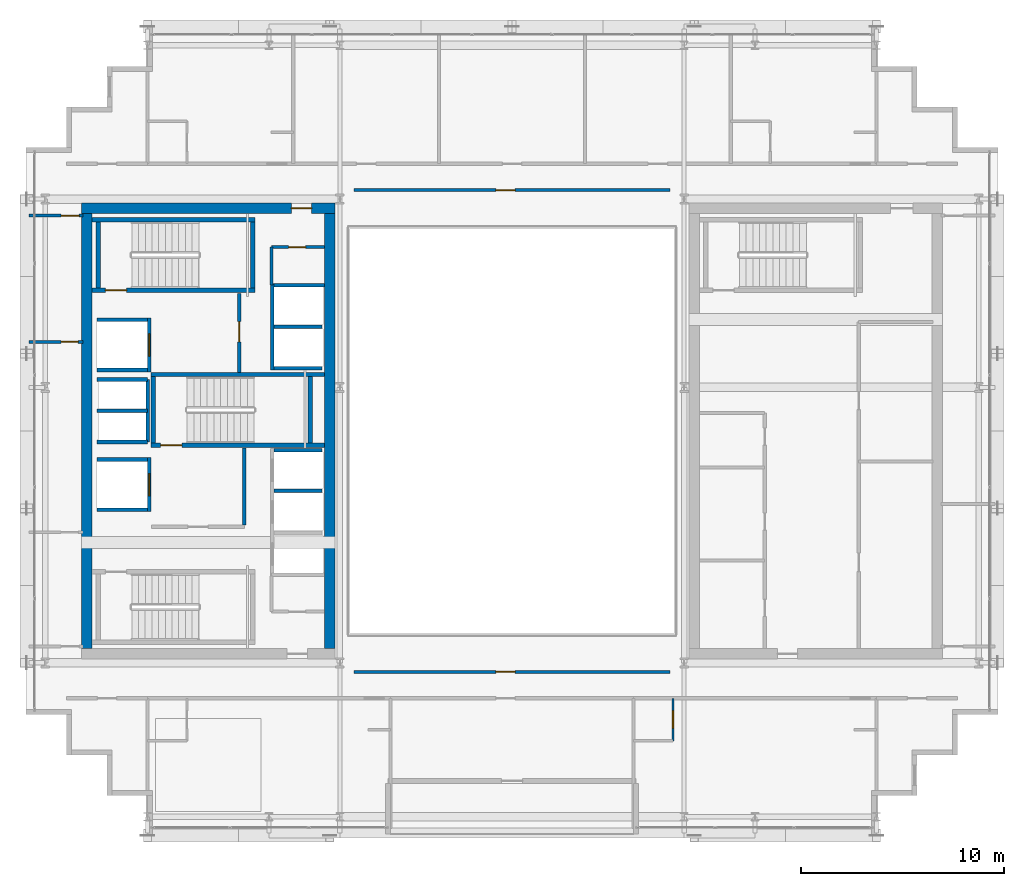
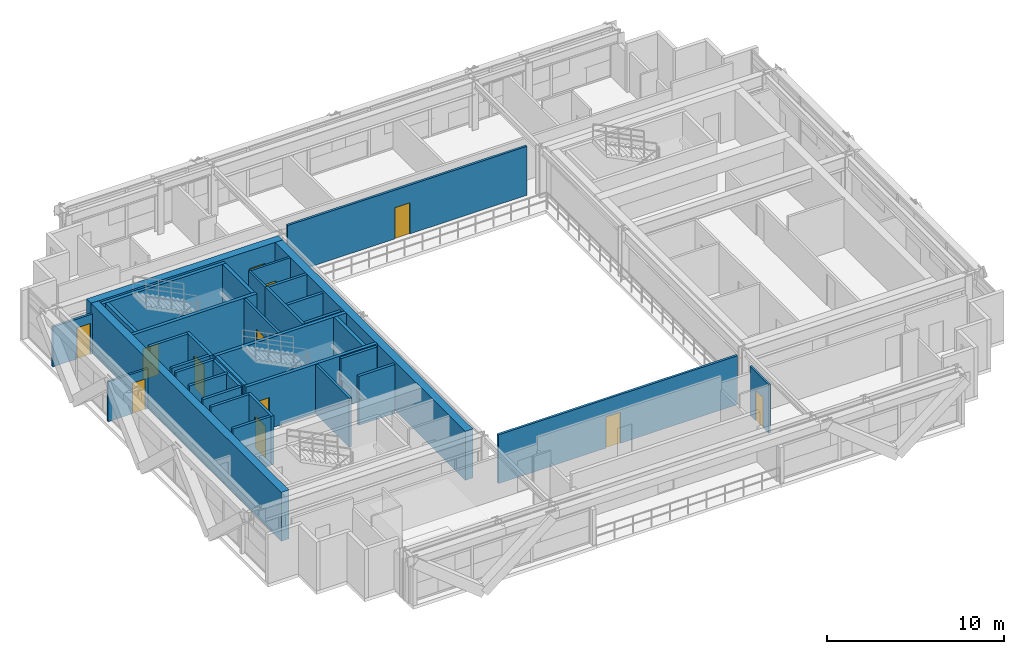
# One storey, part 25 of 31: 36 walls, 12 doors, 12 openings.
"""IFC4 building model written with IfcOpenShell, lengths in metres."""

from ifc_helpers import new_model, si_unit, direction, frame, frame_2d, origin, place, context, subcontext, project, spatial, rectangle, extrude, source, transform, mapped, material, layer, layer_set, type_object, element, fill, save


model = new_model("IFC4")

# Units and contexts
model_context = context("Model", 3, precision=1e-05, world=origin(), true_north=direction((0.0, 1.0)))
body_context = subcontext(model_context, "Body", "Model", "MODEL_VIEW")
ifc_project = project(units=[si_unit("LENGTHUNIT", "METRE"), si_unit("AREAUNIT", "SQUARE_METRE"), si_unit("VOLUMEUNIT", "CUBIC_METRE"), si_unit("PLANEANGLEUNIT", "RADIAN"), si_unit("MASSUNIT", "GRAM", prefix="KILO")], contexts=[model_context])

# Site, building, storey
site_placement = place(None, origin())
site = spatial("IfcSite", under=ifc_project, at=site_placement, CompositionType="ELEMENT")
building_placement = place(site_placement, origin())
building = spatial("IfcBuilding", under=site, at=building_placement, Name="Ocotamira Hotel", CompositionType="ELEMENT")
storey_placement = place(building_placement, frame((0.0, 0.0, 199.199951171875)))
storey = spatial("IfcBuildingStorey", under=building, at=storey_placement, Name="L50", CompositionType="ELEMENT", Elevation=199.199951171875)

# Wall, opening, door
ifc_material_1 = material(Name="Concrete C50/60", Category="concrete")
ifc_layer_1 = layer(ifc_material_1, 0.5)
ifc_layer_set_1 = layer_set([ifc_layer_1], Name="Concrete C50/60")
wall_type_1 = type_object("IfcWallType", Name="WL-CORE-500", PredefinedType="SHEAR", material=ifc_layer_set_1)
wall_1_placement = place(storey_placement, frame((10.75, 37.0, 0.0), z_axis=(0.0, 0.0, 1.0), x_axis=(1.0, 0.0, 0.0)))
wall_1 = element("IfcWall", 1, at=wall_1_placement, inside=storey, type_object=wall_type_1, Name="L50 Shear Core Wall WCORE-N", PredefinedType="SHEAR", context=body_context, shape_type="SweptSolid", body=[
    extrude(rectangle(XDim=12.5, YDim=0.5, at=frame_2d((6.25, 0.0))), origin(), (0.0, 0.0, 1.0), 3.3701171875),
])
opening_1_placement = place(wall_1_placement, frame((10.35009765625, 0.0, 0.0)))
opening_1 = element("IfcOpeningElement", 2, at=opening_1_placement, cuts=wall_1, Name="Opening D-FR2", PredefinedType="OPENING", context=body_context, shape_type="SweptSolid", body=[
    extrude(rectangle(XDim=1.0, YDim=2.14990234375, at=frame_2d((0.5, 1.074951171875))), frame((0.0, 0.260009765625, 0.0), z_axis=(0.0, -1.0, 0.0), x_axis=(1.0, 0.0, 0.0)), (0.0, 0.0, 1.0), 0.52001953125),
])
ifc_material_2 = material(Name="Fire-rated acoustic timber-veneer door", Category="wood")
door_type_1 = type_object("IfcDoorType", Name="DR-FIRE-1000", OperationType="NOTDEFINED", PredefinedType="DOOR", material=ifc_material_2)
shared_shape_1 = source(origin(), body_context, "Body", "SweptSolid", [
    extrude(rectangle(XDim=1.0, YDim=2.14990234375, at=frame_2d((0.5, 1.074951171875))), frame((0.0, 0.02490234375, 0.0), z_axis=(0.0, -1.0, 0.0), x_axis=(1.0, 0.0, 0.0)), (0.0, 0.0, 1.0), 0.050048828125),
])
door_1_placement = place(opening_1_placement, origin())
door_1 = element("IfcDoor", 3, at=door_1_placement, inside=storey, type_object=door_type_1, Name="L50 Door ID-L50-WLOB-N-D [ID-L50-WLOB-N-D]", OperationType="SINGLE_SWING_RIGHT", OverallHeight=2.14990234375, OverallWidth=1.0, PredefinedType="DOOR", context=body_context, shape_type="MappedRepresentation", body=[
    mapped(shared_shape_1, transform((0.0, 0.0, 0.0), scale=1.0)),
])
fill(opening_1, door_1)

# Walls
for number, where, z_axis, x_axis, name in (
    (4, (11.0, 15.25, 0.0), (0.0, 0.0, 1.0), (0.0, 1.0, 0.0), "L50 Shear Core Wall WCORE-W"),
    (5, (23.0, 15.25, 0.0), (0.0, 0.0, 1.0), (0.0, 1.0, 0.0), "L50 Shear Core Wall WCORE-E"),
):
    element("IfcWall", number, at=place(storey_placement, frame(where, z_axis=z_axis, x_axis=x_axis)), inside=storey, type_object=wall_type_1, Name=name, PredefinedType="SHEAR", context=body_context, shape_type="SweptSolid", body=[
        extrude(rectangle(XDim=21.5, YDim=0.5, at=frame_2d((10.75, 0.0))), origin(), (0.0, 0.0, 1.0), 3.3701171875),
    ])
ifc_material_3 = material(Name="Acoustic double-layer fire gypsum board partition", Category="gypsum")
ifc_layer_2 = layer(ifc_material_3, 0.159912109375)
ifc_layer_set_2 = layer_set([ifc_layer_2], Name="Acoustic double-layer fire gypsum board partition")
wall_type_2 = type_object("IfcWallType", Name="WL-FIRE-160", PredefinedType="PARTITIONING", material=ifc_layer_set_2)
wall_2_placement = place(storey_placement, frame((18.780029296875, 21.35009765625, 0.0), z_axis=(0.0, 0.0, 1.0), x_axis=(0.0, 1.0, 0.0)))
element("IfcWall", 6, at=wall_2_placement, inside=storey, type_object=wall_type_2, Name="L50 Interior Wall PW-L50-FSAE1-E", PredefinedType="PARTITIONING", context=body_context, shape_type="SweptSolid", body=[
    extrude(rectangle(XDim=3.809814453125, YDim=0.159912109375, at=frame_2d((1.90478515625, 0.0))), origin(), (0.0, 0.0, 1.0), 3.3701171875),
])

# Wall, opening, door
wall_3_placement = place(storey_placement, frame((18.530029296875, 28.89990234375, 0.0), z_axis=(0.0, 0.0, 1.0), x_axis=(0.0, 1.0, 0.0)))
wall_3 = element("IfcWall", 7, at=wall_3_placement, inside=storey, type_object=wall_type_2, Name="L50 Interior Wall PW-L50-FSAE2-E", PredefinedType="PARTITIONING", context=body_context, shape_type="SweptSolid", body=[
    extrude(rectangle(XDim=3.900146484375, YDim=0.159912109375, at=frame_2d((1.9501953125, 0.0))), origin(), (0.0, 0.0, 1.0), 3.3701171875),
])
opening_2_placement = place(wall_3_placement, frame((1.5, 0.0, 0.0)))
opening_2 = element("IfcOpeningElement", 8, at=opening_2_placement, cuts=wall_3, Name="Opening D-FR2", PredefinedType="OPENING", context=body_context, shape_type="SweptSolid", body=[
    extrude(rectangle(XDim=1.0, YDim=2.14990234375, at=frame_2d((0.5, 1.074951171875))), frame((0.0, 0.08984375, 0.0), z_axis=(0.0, -1.0, 0.0), x_axis=(1.0, 0.0, 0.0)), (0.0, 0.0, 1.0), 0.179931640625),
])
door_2_placement = place(opening_2_placement, origin())
door_2 = element("IfcDoor", 9, at=door_2_placement, inside=storey, type_object=door_type_1, Name="L50 Door ID-L50-FSAE2-D [ID-L50-FSAE2-D]", OperationType="SINGLE_SWING_RIGHT", OverallHeight=2.14990234375, OverallWidth=1.0, PredefinedType="DOOR", context=body_context, shape_type="MappedRepresentation", body=[
    mapped(shared_shape_1, transform((0.0, 0.0, 0.0), scale=1.0)),
])
fill(opening_2, door_2)

ifc_material_4 = material(Name="Moisture-resistant en-suite tile and gypsum partition", Category="gypsum")
ifc_layer_3 = layer(ifc_material_4, 0.1201171875)
ifc_layer_set_3 = layer_set([ifc_layer_3], Name="Moisture-resistant en-suite tile and gypsum partition")
wall_type_3 = type_object("IfcWallType", Name="WL-PART-120", PredefinedType="PARTITIONING", material=ifc_layer_set_3)
wall_4_placement = place(storey_placement, frame((39.949951171875, 10.699951171875, 0.0), z_axis=(0.0, 0.0, 1.0), x_axis=(0.0, 1.0, 0.0)))
wall_4 = element("IfcWall", 10, at=wall_4_placement, inside=storey, type_object=wall_type_3, Name="L50 Interior Wall PW-L50-Z3DSE-BAE1", PredefinedType="PARTITIONING", context=body_context, shape_type="SweptSolid", body=[
    extrude(rectangle(XDim=2.10009765625, YDim=0.1201171875, at=frame_2d((1.050048828125, 0.0))), origin(), (0.0, 0.0, 1.0), 3.3701171875),
])
opening_3_placement = place(wall_4_placement, frame((0.6201171875, 0.0, 0.0)))
opening_3 = element("IfcOpeningElement", 11, at=opening_3_placement, cuts=wall_4, Name="Opening D-BA1", PredefinedType="OPENING", context=body_context, shape_type="SweptSolid", body=[
    extrude(rectangle(XDim=0.860107421875, YDim=2.10009765625, at=frame_2d((0.43017578125, 1.050048828125))), frame((0.0, 0.070068359375, 0.0), z_axis=(0.0, -1.0, 0.0), x_axis=(1.0, 0.0, 0.0)), (0.0, 0.0, 1.0), 0.14013671875),
])
ifc_material_5 = material(Name="Moisture-sealed en-suite timber door", Category="wood")
door_type_2 = type_object("IfcDoorType", Name="DR-BATH-860", OperationType="NOTDEFINED", PredefinedType="DOOR", material=ifc_material_5)
shared_shape_2 = source(origin(), body_context, "Body", "SweptSolid", [
    extrude(rectangle(XDim=0.860107421875, YDim=2.10009765625, at=frame_2d((0.43017578125, 1.050048828125))), frame((0.0, 0.02490234375, 0.0), z_axis=(0.0, -1.0, 0.0), x_axis=(1.0, 0.0, 0.0)), (0.0, 0.0, 1.0), 0.050048828125),
])
door_3_placement = place(opening_3_placement, origin())
door_3 = element("IfcDoor", 12, at=door_3_placement, inside=storey, type_object=door_type_2, Name="L50 Door ID-L50-Z3DSE-BAD1 [ID-L50-Z3DSE-BAD1]", OperationType="SINGLE_SWING_RIGHT", OverallHeight=2.10009765625, OverallWidth=0.860107421875, PredefinedType="DOOR", context=body_context, shape_type="MappedRepresentation", body=[
    mapped(shared_shape_2, transform((0.0, 0.0, 0.0), scale=1.0)),
])
fill(opening_3, door_3)

# Wall
ifc_material_6 = material(Name="Acoustic hospitality gypsum board partition", Category="gypsum")
ifc_layer_4 = layer(ifc_material_6, 0.14208984375)
ifc_layer_set_4 = layer_set([ifc_layer_4], Name="Acoustic hospitality gypsum board partition")
wall_type_4 = type_object("IfcWallType", Name="WL-PART-142", PredefinedType="PARTITIONING", material=ifc_layer_set_4)
wall_5_placement = place(storey_placement, frame((20.1201171875, 33.219970703125, 0.0), z_axis=(0.0, 0.0, 1.0), x_axis=(0.0, 1.0, 0.0)))
element("IfcWall", 13, at=wall_5_placement, inside=storey, type_object=wall_type_4, Name="L50 Interior Wall PW-L50-WC-NE-W2", PredefinedType="PARTITIONING", context=body_context, shape_type="SweptSolid", body=[
    extrude(rectangle(XDim=1.860107421875, YDim=0.14208984375, at=frame_2d((0.93017578125, 0.0))), origin(), (0.0, 0.0, 1.0), 3.3701171875),
])

# Wall, opening, door
wall_6_placement = place(storey_placement, frame((20.1201171875, 35.080078125, 0.0), z_axis=(0.0, 0.0, 1.0), x_axis=(1.0, 0.0, 0.0)))
wall_6 = element("IfcWall", 14, at=wall_6_placement, inside=storey, type_object=wall_type_4, Name="L50 Interior Wall PW-L50-WC-NE-N2", PredefinedType="PARTITIONING", context=body_context, shape_type="SweptSolid", body=[
    extrude(rectangle(XDim=2.6298828125, YDim=0.14208984375, at=frame_2d((1.31494140625, 0.0))), origin(), (0.0, 0.0, 1.0), 3.3701171875),
])
opening_4_placement = place(wall_6_placement, frame((0.85009765625, 0.0, 0.0)))
opening_4 = element("IfcOpeningElement", 15, at=opening_4_placement, cuts=wall_6, Name="Opening D-SV1", PredefinedType="OPENING", context=body_context, shape_type="SweptSolid", body=[
    extrude(rectangle(XDim=0.840087890625, YDim=2.10009765625, at=frame_2d((0.419921875, 1.050048828125))), frame((0.0, 0.0810546875, 0.0), z_axis=(0.0, -1.0, 0.0), x_axis=(1.0, 0.0, 0.0)), (0.0, 0.0, 1.0), 0.162109375),
])
ifc_material_7 = material(Name="Fire-rated painted steel service door", Category="steel")
door_type_3 = type_object("IfcDoorType", Name="DR-SERV-840", OperationType="NOTDEFINED", PredefinedType="DOOR", material=ifc_material_7)
shared_shape_3 = source(origin(), body_context, "Body", "SweptSolid", [
    extrude(rectangle(XDim=0.840087890625, YDim=2.10009765625, at=frame_2d((0.419921875, 1.050048828125))), frame((0.0, 0.02490234375, 0.0), z_axis=(0.0, -1.0, 0.0), x_axis=(1.0, 0.0, 0.0)), (0.0, 0.0, 1.0), 0.050048828125),
])
door_4_placement = place(opening_4_placement, origin())
door_4 = element("IfcDoor", 16, at=door_4_placement, inside=storey, type_object=door_type_3, Name="L50 Door ID-L50-WC-NE-D2 [ID-L50-WC-NE-D2]", OperationType="SINGLE_SWING_RIGHT", OverallHeight=2.10009765625, OverallWidth=0.840087890625, PredefinedType="DOOR", context=body_context, shape_type="MappedRepresentation", body=[
    mapped(shared_shape_3, transform((0.0, 0.0, 0.0), scale=1.0)),
])
fill(opening_4, door_4)

wall_7_placement = place(storey_placement, frame((8.159912109375, 30.39990234375, 0.0), z_axis=(0.0, 0.0, 1.0), x_axis=(1.0, 0.0, 0.0)))
wall_7 = element("IfcWall", 17, at=wall_7_placement, inside=storey, type_object=wall_type_4, Name="L50 Interior Wall PW-L50-Z3D-WF-DV2", PredefinedType="PARTITIONING", context=body_context, shape_type="SweptSolid", body=[
    extrude(rectangle(XDim=2.66015625, YDim=0.14208984375, at=frame_2d((1.330078125, 0.0))), origin(), (0.0, 0.0, 1.0), 2.7529296875),
])
opening_5_placement = place(wall_7_placement, frame((1.580078125, 0.0, 0.0)))
opening_5 = element("IfcOpeningElement", 18, at=opening_5_placement, cuts=wall_7, Name="Opening D-SV1", PredefinedType="OPENING", context=body_context, shape_type="SweptSolid", body=[
    extrude(rectangle(XDim=0.840087890625, YDim=2.10009765625, at=frame_2d((0.419921875, 1.050048828125))), frame((0.0, 0.0810546875, 0.0), z_axis=(0.0, -1.0, 0.0), x_axis=(1.0, 0.0, 0.0)), (0.0, 0.0, 1.0), 0.162109375),
])
door_5_placement = place(opening_5_placement, origin())
door_5 = element("IfcDoor", 19, at=door_5_placement, inside=storey, type_object=door_type_3, Name="L50 Door ID-L50-Z3D-WF-DV2D [ID-L50-Z3D-WF-DV2D]", OperationType="SINGLE_SWING_RIGHT", OverallHeight=2.10009765625, OverallWidth=0.840087890625, PredefinedType="DOOR", context=body_context, shape_type="MappedRepresentation", body=[
    mapped(shared_shape_3, transform((0.0, 0.0, 0.0), scale=1.0)),
])
fill(opening_5, door_5)

ifc_layer_5 = layer(ifc_material_6, 0.14990234375)
ifc_layer_set_5 = layer_set([ifc_layer_5], Name="Acoustic hospitality gypsum board partition")
wall_type_5 = type_object("IfcWallType", Name="WL-PART-150", PredefinedType="PARTITIONING", material=ifc_layer_set_5)
wall_8_placement = place(storey_placement, frame((24.199951171875, 14.10009765625, 0.0), z_axis=(0.0, 0.0, 1.0), x_axis=(1.0, 0.0, 0.0)))
wall_8 = element("IfcWall", 20, at=wall_8_placement, inside=storey, type_object=wall_type_5, Name="L50 Interior Wall PW-L50-Z3D-ATRSW", PredefinedType="PARTITIONING", context=body_context, shape_type="SweptSolid", body=[
    extrude(rectangle(XDim=15.60009765625, YDim=0.14990234375, at=frame_2d((7.800048828125, 0.0))), origin(), (0.0, 0.0, 1.0), 3.3701171875),
])
opening_6_placement = place(wall_8_placement, frame((7.0, 0.0, 0.0)))
opening_6 = element("IfcOpeningElement", 21, at=opening_6_placement, cuts=wall_8, Name="Opening D-SV4", PredefinedType="OPENING", context=body_context, shape_type="SweptSolid", body=[
    extrude(rectangle(XDim=0.9599609375, YDim=2.14990234375, at=frame_2d((0.47998046875, 1.074951171875))), frame((0.0, 0.0849609375, 0.0), z_axis=(0.0, -1.0, 0.0), x_axis=(1.0, 0.0, 0.0)), (0.0, 0.0, 1.0), 0.169921875),
])
ifc_material_8 = material(Name="Fire-rated accessible walnut salon door", Category="wood")
door_type_4 = type_object("IfcDoorType", Name="DR-SERV-960", OperationType="NOTDEFINED", PredefinedType="DOOR", material=ifc_material_8)
shared_shape_4 = source(origin(), body_context, "Body", "SweptSolid", [
    extrude(rectangle(XDim=0.9599609375, YDim=2.14990234375, at=frame_2d((0.47998046875, 1.074951171875))), frame((0.0, 0.02490234375, 0.0), z_axis=(0.0, -1.0, 0.0), x_axis=(1.0, 0.0, 0.0)), (0.0, 0.0, 1.0), 0.050048828125),
])
door_6_placement = place(opening_6_placement, origin())
door_6 = element("IfcDoor", 22, at=door_6_placement, inside=storey, type_object=door_type_4, Name="L50 Door ID-L50-Z3D-ASD [ID-L50-Z3D-ASD]", OperationType="SINGLE_SWING_LEFT", OverallHeight=2.14990234375, OverallWidth=0.9599609375, PredefinedType="DOOR", context=body_context, shape_type="MappedRepresentation", body=[
    mapped(shared_shape_4, transform((0.0, 0.0, 0.0), scale=1.0)),
])
fill(opening_6, door_6)

wall_9_placement = place(storey_placement, frame((24.199951171875, 37.89990234375, 0.0), z_axis=(0.0, 0.0, 1.0), x_axis=(1.0, 0.0, 0.0)))
wall_9 = element("IfcWall", 23, at=wall_9_placement, inside=storey, type_object=wall_type_5, Name="L50 Interior Wall PW-L50-Z3D-ATRNW", PredefinedType="PARTITIONING", context=body_context, shape_type="SweptSolid", body=[
    extrude(rectangle(XDim=15.60009765625, YDim=0.14990234375, at=frame_2d((7.800048828125, 0.0))), origin(), (0.0, 0.0, 1.0), 3.3701171875),
])
opening_7_placement = place(wall_9_placement, frame((7.0, 0.0, 0.0)))
opening_7 = element("IfcOpeningElement", 24, at=opening_7_placement, cuts=wall_9, Name="Opening D-SV4", PredefinedType="OPENING", context=body_context, shape_type="SweptSolid", body=[
    extrude(rectangle(XDim=0.9599609375, YDim=2.14990234375, at=frame_2d((0.47998046875, 1.074951171875))), frame((0.0, 0.0849609375, 0.0), z_axis=(0.0, -1.0, 0.0), x_axis=(1.0, 0.0, 0.0)), (0.0, 0.0, 1.0), 0.169921875),
])
door_7_placement = place(opening_7_placement, origin())
door_7 = element("IfcDoor", 25, at=door_7_placement, inside=storey, type_object=door_type_4, Name="L50 Door ID-L50-Z3D-AND [ID-L50-Z3D-AND]", OperationType="SINGLE_SWING_RIGHT", OverallHeight=2.14990234375, OverallWidth=0.9599609375, PredefinedType="DOOR", context=body_context, shape_type="MappedRepresentation", body=[
    mapped(shared_shape_4, transform((0.0, 0.0, 0.0), scale=1.0)),
])
fill(opening_7, door_7)

wall_10_placement = place(storey_placement, frame((8.159912109375, 36.639892578125, 0.0), z_axis=(0.0, 0.0, 1.0), x_axis=(1.0, 0.0, 0.0)))
wall_10 = element("IfcWall", 26, at=wall_10_placement, inside=storey, type_object=wall_type_5, Name="L50 Interior Wall PW-L50-Z3D-WF-WN", PredefinedType="PARTITIONING", context=body_context, shape_type="SweptSolid", body=[
    extrude(rectangle(XDim=2.66015625, YDim=0.14990234375, at=frame_2d((1.330078125, 0.0))), origin(), (0.0, 0.0, 1.0), 2.7529296875),
])
opening_8_placement = place(wall_10_placement, frame((1.580078125, 0.0, 0.0)))
opening_8 = element("IfcOpeningElement", 27, at=opening_8_placement, cuts=wall_10, Name="Opening D-SV2", PredefinedType="OPENING", context=body_context, shape_type="SweptSolid", body=[
    extrude(rectangle(XDim=0.8798828125, YDim=2.14990234375, at=frame_2d((0.43994140625, 1.074951171875))), frame((0.0, 0.0849609375, 0.0), z_axis=(0.0, -1.0, 0.0), x_axis=(1.0, 0.0, 0.0)), (0.0, 0.0, 1.0), 0.169921875),
])
door_type_5 = type_object("IfcDoorType", Name="DR-SERV-880", OperationType="NOTDEFINED", PredefinedType="DOOR", material=ifc_material_7)
shared_shape_5 = source(origin(), body_context, "Body", "SweptSolid", [
    extrude(rectangle(XDim=0.8798828125, YDim=2.14990234375, at=frame_2d((0.43994140625, 1.074951171875))), frame((0.0, 0.02490234375, 0.0), z_axis=(0.0, -1.0, 0.0), x_axis=(1.0, 0.0, 0.0)), (0.0, 0.0, 1.0), 0.050048828125),
])
door_8_placement = place(opening_8_placement, origin())
door_8 = element("IfcDoor", 28, at=door_8_placement, inside=storey, type_object=door_type_5, Name="L50 Door ID-L50-Z3D-WF-DN [ID-L50-Z3D-WF-DN]", OperationType="SINGLE_SWING_RIGHT", OverallHeight=2.14990234375, OverallWidth=0.8798828125, PredefinedType="DOOR", context=body_context, shape_type="MappedRepresentation", body=[
    mapped(shared_shape_5, transform((0.0, 0.0, 0.0), scale=1.0)),
])
fill(opening_8, door_8)

# Walls
ifc_material_9 = material(Name="Fire-rated gypsum shaftliner board assembly", Category="gypsum")
ifc_layer_6 = layer(ifc_material_9, 0.179931640625)
ifc_layer_set_6 = layer_set([ifc_layer_6], Name="Fire-rated gypsum shaftliner board assembly")
wall_type_6 = type_object("IfcWallType", Name="WL-SHAFT-180", PredefinedType="SOLIDWALL", material=ifc_layer_set_6)
for number, where, z_axis, x_axis, name in (
    (29, (20.25, 25.050048828125, 0.0), (0.0, 0.0, 1.0), (1.0, 0.0, 0.0), "L50 Interior Wall PW-L50-LFW-BANK-high-N"),
    (30, (20.25, 23.044921875, 0.0), (0.0, 0.0, 1.0), (1.0, 0.0, 0.0), "L50 Interior Wall PW-L50-LFW-DIV-LF-P8"),
):
    element("IfcWall", number, at=place(storey_placement, frame(where, z_axis=z_axis, x_axis=x_axis)), inside=storey, type_object=wall_type_6, Name=name, PredefinedType="SOLIDWALL", context=body_context, shape_type="SweptSolid", body=[
        extrude(rectangle(XDim=2.360107421875, YDim=0.179931640625, at=frame_2d((1.18017578125, 0.0))), origin(), (0.0, 0.0, 1.0), 3.3701171875),
    ])
wall_11_placement = place(storey_placement, frame((20.159912109375, 29.0, 0.0), z_axis=(0.0, 0.0, 1.0), x_axis=(0.0, 1.0, 0.0)))
element("IfcWall", 31, at=wall_11_placement, inside=storey, type_object=wall_type_6, Name="L50 Interior Wall PW-L50-LFW-BANK-obs-F", PredefinedType="SOLIDWALL", context=body_context, shape_type="SweptSolid", body=[
    extrude(rectangle(XDim=4.2900390625, YDim=0.179931640625, at=frame_2d((2.14501953125, 0.0))), origin(), (0.0, 0.0, 1.0), 3.3701171875),
])
wall_12_placement = place(storey_placement, frame((20.25, 29.090087890625, 0.0), z_axis=(0.0, 0.0, 1.0), x_axis=(1.0, 0.0, 0.0)))
element("IfcWall", 32, at=wall_12_placement, inside=storey, type_object=wall_type_6, Name="L50 Interior Wall PW-L50-LFW-BANK-obs-S", PredefinedType="SOLIDWALL", context=body_context, shape_type="SweptSolid", body=[
    extrude(rectangle(XDim=2.360107421875, YDim=0.179931640625, at=frame_2d((1.18017578125, 0.0))), origin(), (0.0, 0.0, 1.0), 3.3701171875),
])
wall_13_placement = place(storey_placement, frame((20.25, 33.199951171875, 0.0), z_axis=(0.0, 0.0, 1.0), x_axis=(1.0, 0.0, 0.0)))
element("IfcWall", 33, at=wall_13_placement, inside=storey, type_object=wall_type_6, Name="L50 Interior Wall PW-L50-LFW-BANK-obs-N", PredefinedType="SOLIDWALL", context=body_context, shape_type="SweptSolid", body=[
    extrude(rectangle(XDim=2.5, YDim=0.179931640625, at=frame_2d((1.25, 0.0))), origin(), (0.0, 0.0, 1.0), 3.3701171875),
])
wall_14_placement = place(storey_placement, frame((20.25, 31.14501953125, 0.0), z_axis=(0.0, 0.0, 1.0), x_axis=(1.0, 0.0, 0.0)))
element("IfcWall", 34, at=wall_14_placement, inside=storey, type_object=wall_type_6, Name="L50 Interior Wall PW-L50-LFW-DIV-LF-OBS1", PredefinedType="SOLIDWALL", context=body_context, shape_type="SweptSolid", body=[
    extrude(rectangle(XDim=2.360107421875, YDim=0.179931640625, at=frame_2d((1.18017578125, 0.0))), origin(), (0.0, 0.0, 1.0), 3.3701171875),
])
for number, where, z_axis, x_axis, name in (
    (35, (11.5, 22.110107421875, 0.0), (0.0, 0.0, 1.0), (1.0, 0.0, 0.0), "L50 Interior Wall PW-L50-LFW-LF-FSAE1-S"),
    (36, (11.5, 24.590087890625, 0.0), (0.0, 0.0, 1.0), (1.0, 0.0, 0.0), "L50 Interior Wall PW-L50-LFW-LF-FSAE1-N"),
):
    element("IfcWall", number, at=place(storey_placement, frame(where, z_axis=z_axis, x_axis=x_axis)), inside=storey, type_object=wall_type_6, Name=name, PredefinedType="SOLIDWALL", context=body_context, shape_type="SweptSolid", body=[
        extrude(rectangle(XDim=2.5, YDim=0.179931640625, at=frame_2d((1.25, 0.0))), origin(), (0.0, 0.0, 1.0), 3.3701171875),
    ])

# Wall, opening, door
wall_15_placement = place(storey_placement, frame((14.090087890625, 22.02001953125, 0.0), z_axis=(0.0, 0.0, 1.0), x_axis=(0.0, 1.0, 0.0)))
wall_15 = element("IfcWall", 37, at=wall_15_placement, inside=storey, type_object=wall_type_6, Name="L50 Interior Wall PW-L50-LFW-LF-FSAE1-E", PredefinedType="SOLIDWALL", context=body_context, shape_type="SweptSolid", body=[
    extrude(rectangle(XDim=2.659912109375, YDim=0.179931640625, at=frame_2d((1.330078125, 0.0))), origin(), (0.0, 0.0, 1.0), 3.3701171875),
])
opening_9_placement = place(wall_15_placement, frame((0.780029296875, 0.0, 0.0)))
opening_9 = element("IfcOpeningElement", 38, at=opening_9_placement, cuts=wall_15, Name="Opening LD-LF-FSAE1", PredefinedType="OPENING", context=body_context, shape_type="SweptSolid", body=[
    extrude(rectangle(XDim=1.10009765625, YDim=2.199951171875, at=frame_2d((0.550048828125, 1.10009765625))), frame((0.0, 0.10009765625, 0.0), z_axis=(0.0, -1.0, 0.0), x_axis=(1.0, 0.0, 0.0)), (0.0, 0.0, 1.0), 0.199951171875),
])
ifc_material_10 = material(Name="Brushed pale-metal stainless elevator landing door", Category="steel")
door_type_6 = type_object("IfcDoorType", Name="DR-LIFT-1100", OperationType="NOTDEFINED", PredefinedType="DOOR", material=ifc_material_10)
shared_shape_6 = source(origin(), body_context, "Body", "SweptSolid", [
    extrude(rectangle(XDim=1.10009765625, YDim=2.199951171875, at=frame_2d((0.550048828125, 1.10009765625))), frame((0.0, 0.02490234375, 0.0), z_axis=(0.0, -1.0, 0.0), x_axis=(1.0, 0.0, 0.0)), (0.0, 0.0, 1.0), 0.050048828125),
])
door_9_placement = place(opening_9_placement, origin())
door_9 = element("IfcDoor", 39, at=door_9_placement, inside=storey, type_object=door_type_6, Name="L50 Landing Door LD-LF-FSAE1 [ID-L50-LD-LF-FSAE1]", OperationType="DOUBLE_DOOR_SLIDING", OverallHeight=2.199951171875, OverallWidth=1.10009765625, PredefinedType="DOOR", context=body_context, shape_type="MappedRepresentation", body=[
    mapped(shared_shape_6, transform((0.0, 0.0, 0.0), scale=1.0)),
])
fill(opening_9, door_9)

# Walls
for number, where, z_axis, x_axis, name in (
    (40, (11.5, 29.010009765625, 0.0), (0.0, 0.0, 1.0), (1.0, 0.0, 0.0), "L50 Interior Wall PW-L50-LFW-LF-FSAE2-S"),
    (41, (11.5, 31.489990234375, 0.0), (0.0, 0.0, 1.0), (1.0, 0.0, 0.0), "L50 Interior Wall PW-L50-LFW-LF-FSAE2-N"),
):
    element("IfcWall", number, at=place(storey_placement, frame(where, z_axis=z_axis, x_axis=x_axis)), inside=storey, type_object=wall_type_6, Name=name, PredefinedType="SOLIDWALL", context=body_context, shape_type="SweptSolid", body=[
        extrude(rectangle(XDim=2.5, YDim=0.179931640625, at=frame_2d((1.25, 0.0))), origin(), (0.0, 0.0, 1.0), 3.3701171875),
    ])

# Wall, opening, door
wall_16_placement = place(storey_placement, frame((14.090087890625, 28.919921875, 0.0), z_axis=(0.0, 0.0, 1.0), x_axis=(0.0, 1.0, 0.0)))
wall_16 = element("IfcWall", 42, at=wall_16_placement, inside=storey, type_object=wall_type_6, Name="L50 Interior Wall PW-L50-LFW-LF-FSAE2-E", PredefinedType="SOLIDWALL", context=body_context, shape_type="SweptSolid", body=[
    extrude(rectangle(XDim=2.66015625, YDim=0.179931640625, at=frame_2d((1.330078125, 0.0))), origin(), (0.0, 0.0, 1.0), 3.3701171875),
])
opening_10_placement = place(wall_16_placement, frame((0.780029296875, 0.0, 0.0)))
opening_10 = element("IfcOpeningElement", 43, at=opening_10_placement, cuts=wall_16, Name="Opening LD-LF-FSAE2", PredefinedType="OPENING", context=body_context, shape_type="SweptSolid", body=[
    extrude(rectangle(XDim=1.10009765625, YDim=2.199951171875, at=frame_2d((0.550048828125, 1.10009765625))), frame((0.0, 0.10009765625, 0.0), z_axis=(0.0, -1.0, 0.0), x_axis=(1.0, 0.0, 0.0)), (0.0, 0.0, 1.0), 0.199951171875),
])
door_10_placement = place(opening_10_placement, origin())
door_10 = element("IfcDoor", 44, at=door_10_placement, inside=storey, type_object=door_type_6, Name="L50 Landing Door LD-LF-FSAE2 [ID-L50-LD-LF-FSAE2]", OperationType="DOUBLE_DOOR_SLIDING", OverallHeight=2.199951171875, OverallWidth=1.10009765625, PredefinedType="DOOR", context=body_context, shape_type="MappedRepresentation", body=[
    mapped(shared_shape_6, transform((0.0, 0.0, 0.0), scale=1.0)),
])
fill(opening_10, door_10)

# Walls
for number, where, z_axis, x_axis, name in (
    (45, (11.5, 25.4599609375, 0.0), (0.0, 0.0, 1.0), (1.0, 0.0, 0.0), "L50 Interior Wall PW-L50-RSW-S"),
    (46, (11.5, 27.0, 0.0), (0.0, 0.0, 1.0), (1.0, 0.0, 0.0), "L50 Interior Wall PW-L50-RSW-MID"),
    (47, (11.5, 28.5400390625, 0.0), (0.0, 0.0, 1.0), (1.0, 0.0, 0.0), "L50 Interior Wall PW-L50-RSW-N"),
):
    element("IfcWall", number, at=place(storey_placement, frame(where, z_axis=z_axis, x_axis=x_axis)), inside=storey, type_object=wall_type_6, Name=name, PredefinedType="SOLIDWALL", context=body_context, shape_type="SweptSolid", body=[
        extrude(rectangle(XDim=2.510009765625, YDim=0.179931640625, at=frame_2d((1.2548828125, 0.0))), origin(), (0.0, 0.0, 1.0), 3.3701171875),
    ])
wall_17_placement = place(storey_placement, frame((14.010009765625, 25.4599609375, 0.0), z_axis=(0.0, 0.0, 1.0), x_axis=(0.0, 1.0, 0.0)))
element("IfcWall", 48, at=wall_17_placement, inside=storey, type_object=wall_type_6, Name="L50 Interior Wall PW-L50-RSW-E", PredefinedType="SOLIDWALL", context=body_context, shape_type="SweptSolid", body=[
    extrude(rectangle(XDim=3.080078125, YDim=0.179931640625, at=frame_2d((1.5400390625, 0.0))), origin(), (0.0, 0.0, 1.0), 3.3701171875),
])

# Wall, opening, door
ifc_layer_7 = layer(ifc_material_1, 0.219970703125)
ifc_layer_set_7 = layer_set([ifc_layer_7], Name="Concrete C50/60")
wall_type_7 = type_object("IfcWallType", Name="WL-STAIR-220", PredefinedType="SHEAR", material=ifc_layer_set_7)
wall_18_placement = place(storey_placement, frame((11.25, 32.93994140625, 0.0), z_axis=(0.0, 0.0, 1.0), x_axis=(1.0, 0.0, 0.0)))
wall_18 = element("IfcWall", 49, at=wall_18_placement, inside=storey, type_object=wall_type_7, Name="L50 Stair Shaft Structural Wall ST-2-S", PredefinedType="SHEAR", context=body_context, shape_type="SweptSolid", body=[
    extrude(rectangle(XDim=8.06005859375, YDim=0.219970703125, at=frame_2d((4.030029296875, 0.0))), origin(), (0.0, 0.0, 1.0), 3.400146484375),
])
opening_11_placement = place(wall_18_placement, frame((0.669921875, 0.0, 0.0)))
opening_11 = element("IfcOpeningElement", 50, at=opening_11_placement, cuts=wall_18, Name="Opening D-ST2", PredefinedType="OPENING", context=body_context, shape_type="SweptSolid", body=[
    extrude(rectangle(XDim=1.050048828125, YDim=2.14990234375, at=frame_2d((0.52490234375, 1.074951171875))), frame((0.0, 0.1201171875, 0.0), z_axis=(0.0, -1.0, 0.0), x_axis=(1.0, 0.0, 0.0)), (0.0, 0.0, 1.0), 0.239990234375),
])
ifc_material_11 = material(Name="Insulated painted hollow-metal fire exit door", Category="steel")
door_type_7 = type_object("IfcDoorType", Name="DR-STAIR-1050", OperationType="NOTDEFINED", PredefinedType="DOOR", material=ifc_material_11)
shared_shape_7 = source(origin(), body_context, "Body", "SweptSolid", [
    extrude(rectangle(XDim=1.050048828125, YDim=2.14990234375, at=frame_2d((0.52490234375, 1.074951171875))), frame((0.0, 0.02490234375, 0.0), z_axis=(0.0, -1.0, 0.0), x_axis=(1.0, 0.0, 0.0)), (0.0, 0.0, 1.0), 0.050048828125),
])
door_11_placement = place(opening_11_placement, origin())
door_11 = element("IfcDoor", 51, at=door_11_placement, inside=storey, type_object=door_type_7, Name="L50 Door ID-L50-STD-ST-2 [ID-L50-STD-ST-2]", OperationType="SINGLE_SWING_RIGHT", OverallHeight=2.14990234375, OverallWidth=1.050048828125, PredefinedType="DOOR", context=body_context, shape_type="MappedRepresentation", body=[
    mapped(shared_shape_7, transform((0.0, 0.0, 0.0), scale=1.0)),
])
fill(opening_11, door_11)

# Walls
wall_19_placement = place(storey_placement, frame((11.25, 36.43994140625, 0.0), z_axis=(0.0, 0.0, 1.0), x_axis=(1.0, 0.0, 0.0)))
element("IfcWall", 52, at=wall_19_placement, inside=storey, type_object=wall_type_7, Name="L50 Stair Shaft Structural Wall ST-2-N", PredefinedType="SHEAR", context=body_context, shape_type="SweptSolid", body=[
    extrude(rectangle(XDim=8.06005859375, YDim=0.219970703125, at=frame_2d((4.030029296875, 0.0))), origin(), (0.0, 0.0, 1.0), 3.400146484375),
])
for number, where, z_axis, x_axis, name in (
    (53, (11.56005859375, 33.050048828125, 0.0), (0.0, 0.0, 1.0), (0.0, 1.0, 0.0), "L50 Stair Shaft Structural Wall ST-2-W"),
    (54, (19.199951171875, 33.050048828125, 0.0), (0.0, 0.0, 1.0), (0.0, 1.0, 0.0), "L50 Stair Shaft Structural Wall ST-2-E"),
):
    element("IfcWall", number, at=place(storey_placement, frame(where, z_axis=z_axis, x_axis=x_axis)), inside=storey, type_object=wall_type_7, Name=name, PredefinedType="SHEAR", context=body_context, shape_type="SweptSolid", body=[
        extrude(rectangle(XDim=3.280029296875, YDim=0.219970703125, at=frame_2d((1.64013671875, 0.0))), origin(), (0.0, 0.0, 1.0), 3.400146484375),
    ])

# Wall, opening, door
wall_20_placement = place(storey_placement, frame((14.179931640625, 25.2900390625, 0.0), z_axis=(0.0, 0.0, 1.0), x_axis=(1.0, 0.0, 0.0)))
wall_20 = element("IfcWall", 55, at=wall_20_placement, inside=storey, type_object=wall_type_7, Name="L50 Stair Shaft Structural Wall ST-3-S", PredefinedType="SHEAR", context=body_context, shape_type="SweptSolid", body=[
    extrude(rectangle(XDim=8.570068359375, YDim=0.219970703125, at=frame_2d((4.28515625, 0.0))), origin(), (0.0, 0.0, 1.0), 3.400146484375),
])
opening_12_placement = place(wall_20_placement, frame((0.469970703125, 0.0, 0.0)))
opening_12 = element("IfcOpeningElement", 56, at=opening_12_placement, cuts=wall_20, Name="Opening D-ST2", PredefinedType="OPENING", context=body_context, shape_type="SweptSolid", body=[
    extrude(rectangle(XDim=1.050048828125, YDim=2.14990234375, at=frame_2d((0.52490234375, 1.074951171875))), frame((0.0, 0.1201171875, 0.0), z_axis=(0.0, -1.0, 0.0), x_axis=(1.0, 0.0, 0.0)), (0.0, 0.0, 1.0), 0.239990234375),
])
door_12_placement = place(opening_12_placement, origin())
door_12 = element("IfcDoor", 57, at=door_12_placement, inside=storey, type_object=door_type_7, Name="L50 Door ID-L50-STD-ST-3 [ID-L50-STD-ST-3]", OperationType="SINGLE_SWING_LEFT", OverallHeight=2.14990234375, OverallWidth=1.050048828125, PredefinedType="DOOR", context=body_context, shape_type="MappedRepresentation", body=[
    mapped(shared_shape_7, transform((0.0, 0.0, 0.0), scale=1.0)),
])
fill(opening_12, door_12)

# Walls
wall_21_placement = place(storey_placement, frame((14.179931640625, 28.7900390625, 0.0), z_axis=(0.0, 0.0, 1.0), x_axis=(1.0, 0.0, 0.0)))
element("IfcWall", 58, at=wall_21_placement, inside=storey, type_object=wall_type_7, Name="L50 Stair Shaft Structural Wall ST-3-N", PredefinedType="SHEAR", context=body_context, shape_type="SweptSolid", body=[
    extrude(rectangle(XDim=8.570068359375, YDim=0.219970703125, at=frame_2d((4.28515625, 0.0))), origin(), (0.0, 0.0, 1.0), 3.400146484375),
])
for number, where, z_axis, x_axis, name in (
    (59, (14.2900390625, 25.39990234375, 0.0), (0.0, 0.0, 1.0), (0.0, 1.0, 0.0), "L50 Stair Shaft Structural Wall ST-3-W"),
    (60, (22.030029296875, 25.39990234375, 0.0), (0.0, 0.0, 1.0), (0.0, 1.0, 0.0), "L50 Stair Shaft Structural Wall ST-3-E"),
):
    element("IfcWall", number, at=place(storey_placement, frame(where, z_axis=z_axis, x_axis=x_axis)), inside=storey, type_object=wall_type_7, Name=name, PredefinedType="SHEAR", context=body_context, shape_type="SweptSolid", body=[
        extrude(rectangle(XDim=3.280029296875, YDim=0.219970703125, at=frame_2d((1.64013671875, 0.0))), origin(), (0.0, 0.0, 1.0), 3.400146484375),
    ])

save(model, "model.ifc")
